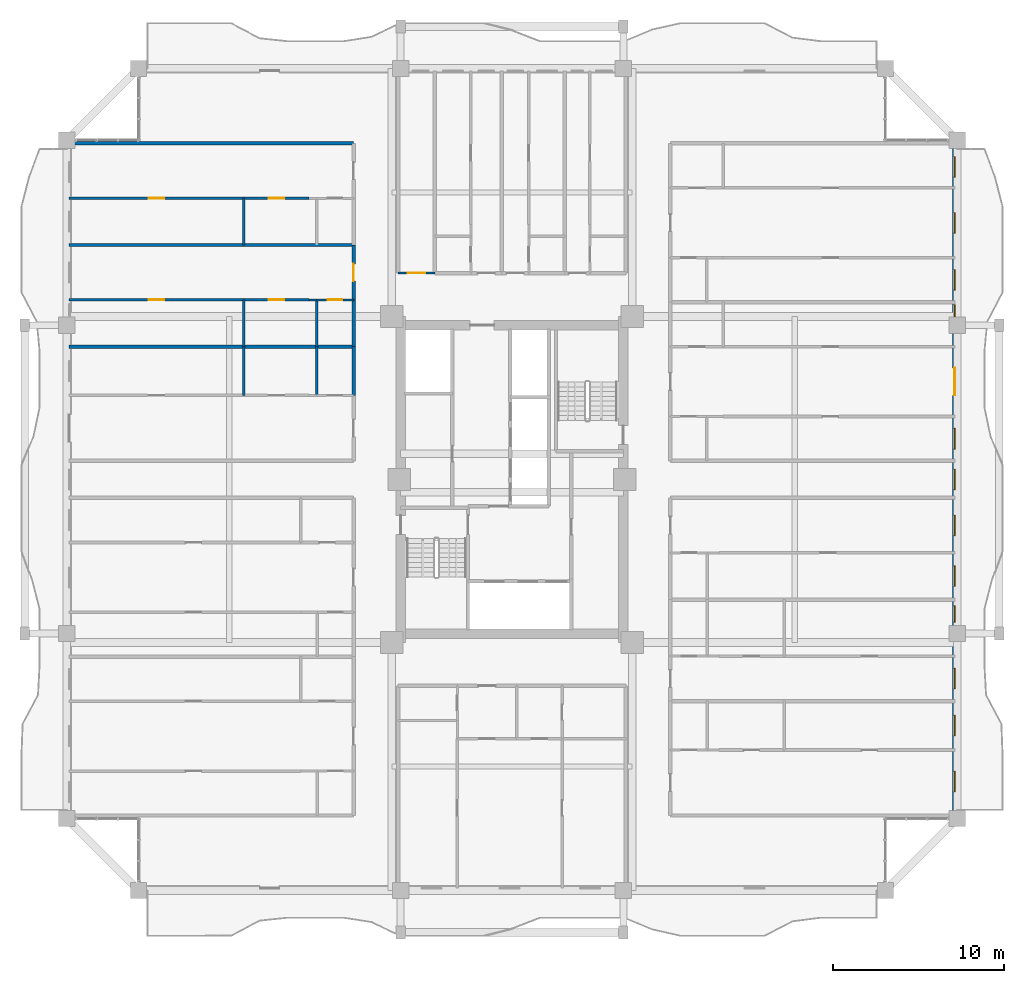
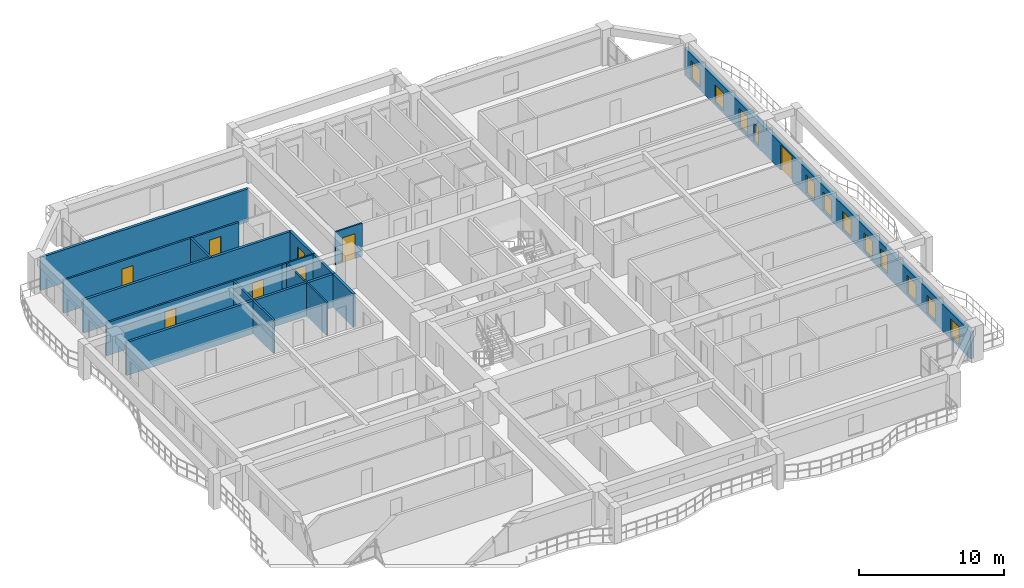
# One storey, part 18 of 26: 19 walls, 12 windows, 8 doors, 20 openings.
"""IFC4 building model written with IfcOpenShell, lengths in metres."""

from ifc_helpers import new_model, si_unit, direction, frame, frame_2d, origin, place, context, subcontext, project, spatial, rectangle, extrude, source, transform, mapped, material, layer, layer_set, type_object, element, fill, save


model = new_model("IFC4")

# Units and contexts
model_context = context("Model", 3, precision=1e-05, world=origin(), true_north=direction((0.0, 1.0)))
body_context = subcontext(model_context, "Body", "Model", "MODEL_VIEW")
ifc_project = project(units=[si_unit("LENGTHUNIT", "METRE"), si_unit("AREAUNIT", "SQUARE_METRE"), si_unit("VOLUMEUNIT", "CUBIC_METRE"), si_unit("PLANEANGLEUNIT", "RADIAN"), si_unit("MASSUNIT", "GRAM", prefix="KILO")], contexts=[model_context])

# Site, building, storey
site_placement = place(None, origin())
site = spatial("IfcSite", under=ifc_project, at=site_placement, CompositionType="ELEMENT")
building_placement = place(site_placement, origin())
building = spatial("IfcBuilding", under=site, at=building_placement, Name="Saelheon Loggia Tower", CompositionType="ELEMENT")
storey_placement = place(building_placement, frame((0.0, 0.0, 116.85009765625)))
storey = spatial("IfcBuildingStorey", under=building, at=storey_placement, Name="L37", CompositionType="ELEMENT", Elevation=116.85009765625)

# Wall, openings, windows, door
ifc_material_1 = material(Name="Architectural Precast Concrete C40/50", Category="concrete")
ifc_layer_1 = layer(ifc_material_1, 0.280029296875)
ifc_layer_set_1 = layer_set([ifc_layer_1], Name="Architectural Precast Concrete C40/50")
wall_type_1 = type_object("IfcWallType", Name="Wall_Ext_Loggia_280", PredefinedType="SOLIDWALL", material=ifc_layer_set_1)
wall_1_placement = place(storey_placement, frame((63.860107421875, 7.199951171875, 0.0), z_axis=(0.0, 0.0, 1.0), x_axis=(0.0, 1.0, 0.0)))
wall_1 = element("IfcWall", 1, at=wall_1_placement, inside=storey, type_object=wall_type_1, Name="L37 East Loggia Inner Wall", PredefinedType="SOLIDWALL", context=body_context, shape_type="SweptSolid", body=[
    extrude(rectangle(XDim=39.60009765625, YDim=0.280029296875, at=frame_2d((19.800048828125, 0.0))), origin(), (0.0, 0.0, 1.0), 2.27978515625),
])
opening_1_placement = place(wall_1_placement, frame((1.559814453125, 0.0, 0.25)))
opening_1 = element("IfcOpeningElement", 2, at=opening_1_placement, cuts=wall_1, Name="Opening WN-03", PredefinedType="OPENING", context=body_context, shape_type="SweptSolid", body=[
    extrude(rectangle(XDim=1.199951171875, YDim=1.5, at=frame_2d((0.60009765625, 0.75))), frame((0.0, 0.152099609375, 0.0), z_axis=(0.0, -1.0, 0.0), x_axis=(1.0, 0.0, 0.0)), (0.0, 0.0, 1.0), 0.303955078125),
])
opening_2_placement = place(wall_1_placement, frame((4.829345703125, 0.0, 0.25)))
opening_2 = element("IfcOpeningElement", 3, at=opening_2_placement, cuts=wall_1, Name="Opening WN-03", PredefinedType="OPENING", context=body_context, shape_type="SweptSolid", body=[
    extrude(rectangle(XDim=1.199951171875, YDim=1.5, at=frame_2d((0.60009765625, 0.75))), frame((0.0, 0.152099609375, 0.0), z_axis=(0.0, -1.0, 0.0), x_axis=(1.0, 0.0, 0.0)), (0.0, 0.0, 1.0), 0.303955078125),
])
opening_3_placement = place(wall_1_placement, frame((7.567138671875, 0.0, 0.25)))
opening_3 = element("IfcOpeningElement", 4, at=opening_3_placement, cuts=wall_1, Name="Opening WN-03", PredefinedType="OPENING", context=body_context, shape_type="SweptSolid", body=[
    extrude(rectangle(XDim=1.199951171875, YDim=1.5, at=frame_2d((0.60009765625, 0.75))), frame((0.0, 0.152099609375, 0.0), z_axis=(0.0, -1.0, 0.0), x_axis=(1.0, 0.0, 0.0)), (0.0, 0.0, 1.0), 0.303955078125),
])
opening_4_placement = place(wall_1_placement, frame((11.47607421875, 0.0, 0.25)))
opening_4 = element("IfcOpeningElement", 5, at=opening_4_placement, cuts=wall_1, Name="Opening WN-04", PredefinedType="OPENING", context=body_context, shape_type="SweptSolid", body=[
    extrude(rectangle(XDim=0.949951171875, YDim=1.5, at=frame_2d((0.47509765625, 0.75))), frame((0.0, 0.152099609375, 0.0), z_axis=(0.0, -1.0, 0.0), x_axis=(1.0, 0.0, 0.0)), (0.0, 0.0, 1.0), 0.303955078125),
])
opening_5_placement = place(wall_1_placement, frame((13.5517578125, 0.0, 0.25)))
opening_5 = element("IfcOpeningElement", 6, at=opening_5_placement, cuts=wall_1, Name="Opening WN-03", PredefinedType="OPENING", context=body_context, shape_type="SweptSolid", body=[
    extrude(rectangle(XDim=1.199951171875, YDim=1.5, at=frame_2d((0.60009765625, 0.75))), frame((0.0, 0.152099609375, 0.0), z_axis=(0.0, -1.0, 0.0), x_axis=(1.0, 0.0, 0.0)), (0.0, 0.0, 1.0), 0.303955078125),
])
opening_6_placement = place(wall_1_placement, frame((16.51806640625, 0.0, 0.25)))
opening_6 = element("IfcOpeningElement", 7, at=opening_6_placement, cuts=wall_1, Name="Opening WN-03", PredefinedType="OPENING", context=body_context, shape_type="SweptSolid", body=[
    extrude(rectangle(XDim=1.199951171875, YDim=1.5, at=frame_2d((0.60009765625, 0.75))), frame((0.0, 0.152099609375, 0.0), z_axis=(0.0, -1.0, 0.0), x_axis=(1.0, 0.0, 0.0)), (0.0, 0.0, 1.0), 0.303955078125),
])
opening_7_placement = place(wall_1_placement, frame((19.199951171875, 0.0, 0.25)))
opening_7 = element("IfcOpeningElement", 8, at=opening_7_placement, cuts=wall_1, Name="Opening WN-03", PredefinedType="OPENING", context=body_context, shape_type="SweptSolid", body=[
    extrude(rectangle(XDim=1.199951171875, YDim=1.5, at=frame_2d((0.60009765625, 0.75))), frame((0.0, 0.152099609375, 0.0), z_axis=(0.0, -1.0, 0.0), x_axis=(1.0, 0.0, 0.0)), (0.0, 0.0, 1.0), 0.303955078125),
])
opening_8_placement = place(wall_1_placement, frame((21.577880859375, 0.0, 0.25)))
opening_8 = element("IfcOpeningElement", 9, at=opening_8_placement, cuts=wall_1, Name="Opening WN-03", PredefinedType="OPENING", context=body_context, shape_type="SweptSolid", body=[
    extrude(rectangle(XDim=1.199951171875, YDim=1.5, at=frame_2d((0.60009765625, 0.75))), frame((0.0, 0.152099609375, 0.0), z_axis=(0.0, -1.0, 0.0), x_axis=(1.0, 0.0, 0.0)), (0.0, 0.0, 1.0), 0.303955078125),
])
opening_9_placement = place(wall_1_placement, frame((26.31298828125, 0.0, 0.0), z_axis=(0.0, 0.0, 1.0), x_axis=(-1.0, 0.0, 0.0)))
opening_9 = element("IfcOpeningElement", 10, at=opening_9_placement, cuts=wall_1, Name="Opening DLG-1", PredefinedType="OPENING", context=body_context, shape_type="SweptSolid", body=[
    extrude(rectangle(XDim=1.60009765625, YDim=2.14990234375, at=frame_2d((0.800048828125, 1.074951171875))), frame((0.0, 0.152099609375, 0.0), z_axis=(0.0, -1.0, 0.0), x_axis=(1.0, 0.0, 0.0)), (0.0, 0.0, 1.0), 0.303955078125),
])
opening_10_placement = place(wall_1_placement, frame((29.304931640625, 0.0, 0.25)))
opening_10 = element("IfcOpeningElement", 11, at=opening_10_placement, cuts=wall_1, Name="Opening WN-06", PredefinedType="OPENING", context=body_context, shape_type="SweptSolid", body=[
    extrude(rectangle(XDim=0.699951171875, YDim=1.5, at=frame_2d((0.35009765625, 0.75))), frame((0.0, 0.152099609375, 0.0), z_axis=(0.0, -1.0, 0.0), x_axis=(1.0, 0.0, 0.0)), (0.0, 0.0, 1.0), 0.303955078125),
])
opening_11_placement = place(wall_1_placement, frame((30.847900390625, 0.0, 0.25)))
opening_11 = element("IfcOpeningElement", 12, at=opening_11_placement, cuts=wall_1, Name="Opening WN-03", PredefinedType="OPENING", context=body_context, shape_type="SweptSolid", body=[
    extrude(rectangle(XDim=1.199951171875, YDim=1.5, at=frame_2d((0.60009765625, 0.75))), frame((0.0, 0.152099609375, 0.0), z_axis=(0.0, -1.0, 0.0), x_axis=(1.0, 0.0, 0.0)), (0.0, 0.0, 1.0), 0.303955078125),
])
opening_12_placement = place(wall_1_placement, frame((34.182861328125, 0.0, 0.25)))
opening_12 = element("IfcOpeningElement", 13, at=opening_12_placement, cuts=wall_1, Name="Opening WN-03", PredefinedType="OPENING", context=body_context, shape_type="SweptSolid", body=[
    extrude(rectangle(XDim=1.199951171875, YDim=1.5, at=frame_2d((0.60009765625, 0.75))), frame((0.0, 0.152099609375, 0.0), z_axis=(0.0, -1.0, 0.0), x_axis=(1.0, 0.0, 0.0)), (0.0, 0.0, 1.0), 0.303955078125),
])
opening_13_placement = place(wall_1_placement, frame((37.452392578125, 0.0, 0.25)))
opening_13 = element("IfcOpeningElement", 14, at=opening_13_placement, cuts=wall_1, Name="Opening WN-03", PredefinedType="OPENING", context=body_context, shape_type="SweptSolid", body=[
    extrude(rectangle(XDim=1.199951171875, YDim=1.5, at=frame_2d((0.60009765625, 0.75))), frame((0.0, 0.152099609375, 0.0), z_axis=(0.0, -1.0, 0.0), x_axis=(1.0, 0.0, 0.0)), (0.0, 0.0, 1.0), 0.303955078125),
])
ifc_material_2 = material(Name="Thermal-Break Aluminium and Triple Low-E Glass", Category="aluminium")
window_type_1 = type_object("IfcWindowType", Name="Win_Slot_700x1500", PartitioningType="SINGLE_PANEL", PredefinedType="WINDOW", material=ifc_material_2)
shared_shape_1 = source(origin(), body_context, "Body", "SweptSolid", [
    extrude(rectangle(XDim=0.699951171875, YDim=1.5, at=frame_2d((0.35009765625, 0.75))), frame((0.0, 0.030029296875, 0.0), z_axis=(0.0, -1.0, 0.0), x_axis=(1.0, 0.0, 0.0)), (0.0, 0.0, 1.0), 0.06005859375),
])
window_1_placement = place(opening_10_placement, origin())
window_1 = element("IfcWindow", 15, at=window_1_placement, inside=storey, type_object=window_type_1, Name="L37 E Dwelling Window 10", OverallHeight=1.5, OverallWidth=0.699951171875, PartitioningType="SINGLE_PANEL", PredefinedType="WINDOW", context=body_context, shape_type="MappedRepresentation", body=[
    mapped(shared_shape_1, transform((0.0, 0.0, 0.0), scale=1.0)),
])
fill(opening_10, window_1)
window_type_2 = type_object("IfcWindowType", Name="Win_Bedroom_1200x1500", PartitioningType="SINGLE_PANEL", PredefinedType="WINDOW", material=ifc_material_2)
shared_shape_2 = source(origin(), body_context, "Body", "SweptSolid", [
    extrude(rectangle(XDim=1.199951171875, YDim=1.5, at=frame_2d((0.60009765625, 0.75))), frame((0.0, 0.030029296875, 0.0), z_axis=(0.0, -1.0, 0.0), x_axis=(1.0, 0.0, 0.0)), (0.0, 0.0, 1.0), 0.06005859375),
])
window_2_placement = place(opening_1_placement, origin())
window_2 = element("IfcWindow", 16, at=window_2_placement, inside=storey, type_object=window_type_2, Name="L37 E Dwelling Window 1", OverallHeight=1.5, OverallWidth=1.199951171875, PartitioningType="SINGLE_PANEL", PredefinedType="WINDOW", context=body_context, shape_type="MappedRepresentation", body=[
    mapped(shared_shape_2, transform((0.0, 0.0, 0.0), scale=1.0)),
])
fill(opening_1, window_2)
window_3_placement = place(opening_2_placement, origin())
window_3 = element("IfcWindow", 17, at=window_3_placement, inside=storey, type_object=window_type_2, Name="L37 E Dwelling Window 2", OverallHeight=1.5, OverallWidth=1.199951171875, PartitioningType="SINGLE_PANEL", PredefinedType="WINDOW", context=body_context, shape_type="MappedRepresentation", body=[
    mapped(shared_shape_2, transform((0.0, 0.0, 0.0), scale=1.0)),
])
fill(opening_2, window_3)
window_4_placement = place(opening_3_placement, origin())
window_4 = element("IfcWindow", 18, at=window_4_placement, inside=storey, type_object=window_type_2, Name="L37 E Dwelling Window 3", OverallHeight=1.5, OverallWidth=1.199951171875, PartitioningType="SINGLE_PANEL", PredefinedType="WINDOW", context=body_context, shape_type="MappedRepresentation", body=[
    mapped(shared_shape_2, transform((0.0, 0.0, 0.0), scale=1.0)),
])
fill(opening_3, window_4)
window_5_placement = place(opening_5_placement, origin())
window_5 = element("IfcWindow", 19, at=window_5_placement, inside=storey, type_object=window_type_2, Name="L37 E Dwelling Window 5", OverallHeight=1.5, OverallWidth=1.199951171875, PartitioningType="SINGLE_PANEL", PredefinedType="WINDOW", context=body_context, shape_type="MappedRepresentation", body=[
    mapped(shared_shape_2, transform((0.0, 0.0, 0.0), scale=1.0)),
])
fill(opening_5, window_5)
window_6_placement = place(opening_6_placement, origin())
window_6 = element("IfcWindow", 20, at=window_6_placement, inside=storey, type_object=window_type_2, Name="L37 E Dwelling Window 6", OverallHeight=1.5, OverallWidth=1.199951171875, PartitioningType="SINGLE_PANEL", PredefinedType="WINDOW", context=body_context, shape_type="MappedRepresentation", body=[
    mapped(shared_shape_2, transform((0.0, 0.0, 0.0), scale=1.0)),
])
fill(opening_6, window_6)
window_7_placement = place(opening_7_placement, origin())
window_7 = element("IfcWindow", 21, at=window_7_placement, inside=storey, type_object=window_type_2, Name="L37 E Dwelling Window 7", OverallHeight=1.5, OverallWidth=1.199951171875, PartitioningType="SINGLE_PANEL", PredefinedType="WINDOW", context=body_context, shape_type="MappedRepresentation", body=[
    mapped(shared_shape_2, transform((0.0, 0.0, 0.0), scale=1.0)),
])
fill(opening_7, window_7)
window_8_placement = place(opening_8_placement, origin())
window_8 = element("IfcWindow", 22, at=window_8_placement, inside=storey, type_object=window_type_2, Name="L37 E Dwelling Window 8", OverallHeight=1.5, OverallWidth=1.199951171875, PartitioningType="SINGLE_PANEL", PredefinedType="WINDOW", context=body_context, shape_type="MappedRepresentation", body=[
    mapped(shared_shape_2, transform((0.0, 0.0, 0.0), scale=1.0)),
])
fill(opening_8, window_8)
window_9_placement = place(opening_11_placement, origin())
window_9 = element("IfcWindow", 23, at=window_9_placement, inside=storey, type_object=window_type_2, Name="L37 E Dwelling Window 11", OverallHeight=1.5, OverallWidth=1.199951171875, PartitioningType="SINGLE_PANEL", PredefinedType="WINDOW", context=body_context, shape_type="MappedRepresentation", body=[
    mapped(shared_shape_2, transform((0.0, 0.0, 0.0), scale=1.0)),
])
fill(opening_11, window_9)
window_10_placement = place(opening_12_placement, origin())
window_10 = element("IfcWindow", 24, at=window_10_placement, inside=storey, type_object=window_type_2, Name="L37 E Dwelling Window 12", OverallHeight=1.5, OverallWidth=1.199951171875, PartitioningType="SINGLE_PANEL", PredefinedType="WINDOW", context=body_context, shape_type="MappedRepresentation", body=[
    mapped(shared_shape_2, transform((0.0, 0.0, 0.0), scale=1.0)),
])
fill(opening_12, window_10)
window_11_placement = place(opening_13_placement, origin())
window_11 = element("IfcWindow", 25, at=window_11_placement, inside=storey, type_object=window_type_2, Name="L37 E Dwelling Window 13", OverallHeight=1.5, OverallWidth=1.199951171875, PartitioningType="SINGLE_PANEL", PredefinedType="WINDOW", context=body_context, shape_type="MappedRepresentation", body=[
    mapped(shared_shape_2, transform((0.0, 0.0, 0.0), scale=1.0)),
])
fill(opening_13, window_11)
window_type_3 = type_object("IfcWindowType", Name="Win_Narrow_950x1500", PartitioningType="SINGLE_PANEL", PredefinedType="WINDOW", material=ifc_material_2)
shared_shape_3 = source(origin(), body_context, "Body", "SweptSolid", [
    extrude(rectangle(XDim=0.949951171875, YDim=1.5, at=frame_2d((0.47509765625, 0.75))), frame((0.0, 0.030029296875, 0.0), z_axis=(0.0, -1.0, 0.0), x_axis=(1.0, 0.0, 0.0)), (0.0, 0.0, 1.0), 0.06005859375),
])
window_12_placement = place(opening_4_placement, origin())
window_12 = element("IfcWindow", 26, at=window_12_placement, inside=storey, type_object=window_type_3, Name="L37 E Dwelling Window 4", OverallHeight=1.5, OverallWidth=0.949951171875, PartitioningType="SINGLE_PANEL", PredefinedType="WINDOW", context=body_context, shape_type="MappedRepresentation", body=[
    mapped(shared_shape_3, transform((0.0, 0.0, 0.0), scale=1.0)),
])
fill(opening_4, window_12)
ifc_material_3 = material(Name="Thermal-Break Aluminium Sliding Glazed Door", Category="aluminium")
door_type_1 = type_object("IfcDoorType", Name="Door_LoggiaSlide_1600", OperationType="SLIDING_TO_LEFT", PredefinedType="DOOR", material=ifc_material_3)
shared_shape_4 = source(origin(), body_context, "Body", "SweptSolid", [
    extrude(rectangle(XDim=1.60009765625, YDim=2.14990234375, at=frame_2d((0.800048828125, 1.074951171875))), frame((0.0, 0.02490234375, 0.0), z_axis=(0.0, -1.0, 0.0), x_axis=(1.0, 0.0, 0.0)), (0.0, 0.0, 1.0), 0.050048828125),
])
door_1_placement = place(opening_9_placement, origin())
door_1 = element("IfcDoor", 27, at=door_1_placement, inside=storey, type_object=door_type_1, Name="L37 E Loggia Access Door", OperationType="SLIDING_TO_LEFT", OverallHeight=2.14990234375, OverallWidth=1.60009765625, PredefinedType="DOOR", context=body_context, shape_type="MappedRepresentation", body=[
    mapped(shared_shape_4, transform((0.0, 0.0, 0.0), scale=1.0)),
])
fill(opening_9, door_1)

# Walls
ifc_material_4 = material(Name="Lightweight Autoclaved Aerated Concrete Block and Acoustic Gypsum", Category="concrete")
ifc_layer_2 = layer(ifc_material_4, 0.14990234375)
ifc_layer_set_2 = layer_set([ifc_layer_2], Name="Lightweight Autoclaved Aerated Concrete Block and Acoustic Gypsum")
wall_type_2 = type_object("IfcWallType", Name="Wall_Part_150", PredefinedType="PARTITIONING", material=ifc_layer_set_2)
wall_2_placement = place(storey_placement, frame((22.35009765625, 31.904296875, 0.0), z_axis=(0.0, 0.0, 1.0), x_axis=(0.0, 1.0, 0.0)))
element("IfcWall", 28, at=wall_2_placement, inside=storey, type_object=wall_type_2, Name="L37 WN Partition V08", PredefinedType="PARTITIONING", context=body_context, shape_type="SweptSolid", body=[
    extrude(rectangle(XDim=2.85009765625, YDim=0.14990234375, at=frame_2d((1.425048828125, 0.0))), origin(), (0.0, 0.0, 1.0), 2.789794921875),
])
wall_3_placement = place(storey_placement, frame((22.35009765625, 34.75439453125, 0.0), z_axis=(0.0, 0.0, 1.0), x_axis=(0.0, 1.0, 0.0)))
element("IfcWall", 29, at=wall_3_placement, inside=storey, type_object=wall_type_2, Name="L37 WN Partition V17", PredefinedType="PARTITIONING", context=body_context, shape_type="SweptSolid", body=[
    extrude(rectangle(XDim=2.72900390625, YDim=0.14990234375, at=frame_2d((1.364501953125, 0.0))), origin(), (0.0, 0.0, 1.0), 2.789794921875),
])

# Wall, opening, door
wall_4_placement = place(storey_placement, frame((26.14990234375, 37.4833984375, 0.0), z_axis=(0.0, 0.0, 1.0), x_axis=(-1.0, 0.0, 0.0)))
wall_4 = element("IfcWall", 30, at=wall_4_placement, inside=storey, type_object=wall_type_2, Name="L37 WN Partition U18", PredefinedType="PARTITIONING", context=body_context, shape_type="SweptSolid", body=[
    extrude(rectangle(XDim=3.7998046875, YDim=0.14990234375, at=frame_2d((1.89990234375, 0.0))), origin(), (0.0, 0.0, 1.0), 2.789794921875),
])
opening_14_placement = place(wall_4_placement, frame((1.449951171875, 0.0, 0.0)))
opening_14 = element("IfcOpeningElement", 31, at=opening_14_placement, cuts=wall_4, Name="Opening D-IN2", PredefinedType="OPENING", context=body_context, shape_type="SweptSolid", body=[
    extrude(rectangle(XDim=0.89990234375, YDim=2.10009765625, at=frame_2d((0.449951171875, 1.050048828125))), frame((0.0, 0.0869140625, 0.0), z_axis=(0.0, -1.0, 0.0), x_axis=(1.0, 0.0, 0.0)), (0.0, 0.0, 1.0), 0.173828125),
])
ifc_material_5 = material(Name="Engineered Oak Flush Door", Category="timber")
door_type_2 = type_object("IfcDoorType", Name="Door_Int_900", OperationType="NOTDEFINED", PredefinedType="DOOR", material=ifc_material_5)
shared_shape_5 = source(origin(), body_context, "Body", "SweptSolid", [
    extrude(rectangle(XDim=0.89990234375, YDim=2.10009765625, at=frame_2d((0.449951171875, 1.050048828125))), frame((0.0, 0.02490234375, 0.0), z_axis=(0.0, -1.0, 0.0), x_axis=(1.0, 0.0, 0.0)), (0.0, 0.0, 1.0), 0.050048828125),
])
door_2_placement = place(opening_14_placement, origin())
door_2 = element("IfcDoor", 32, at=door_2_placement, inside=storey, type_object=door_type_2, Name="Unit U08 Kitchen Door", OperationType="SINGLE_SWING_LEFT", OverallHeight=2.10009765625, OverallWidth=0.89990234375, PredefinedType="DOOR", context=body_context, shape_type="MappedRepresentation", body=[
    mapped(shared_shape_5, transform((0.0, 0.0, 0.0), scale=1.0)),
])
fill(opening_14, door_2)

wall_5_placement = place(storey_placement, frame((22.35009765625, 37.4833984375, 0.0), z_axis=(0.0, 0.0, 1.0), x_axis=(-1.0, 0.0, 0.0)))
wall_5 = element("IfcWall", 33, at=wall_5_placement, inside=storey, type_object=wall_type_2, Name="L37 WN Partition U19", PredefinedType="PARTITIONING", context=body_context, shape_type="SweptSolid", body=[
    extrude(rectangle(XDim=10.2001953125, YDim=0.14990234375, at=frame_2d((5.10009765625, 0.0))), origin(), (0.0, 0.0, 1.0), 2.789794921875),
])
opening_15_placement = place(wall_5_placement, frame((4.64990234375, 0.0, 0.0)))
opening_15 = element("IfcOpeningElement", 34, at=opening_15_placement, cuts=wall_5, Name="Opening D-IN2", PredefinedType="OPENING", context=body_context, shape_type="SweptSolid", body=[
    extrude(rectangle(XDim=0.89990234375, YDim=2.10009765625, at=frame_2d((0.449951171875, 1.050048828125))), frame((0.0, 0.0869140625, 0.0), z_axis=(0.0, -1.0, 0.0), x_axis=(1.0, 0.0, 0.0)), (0.0, 0.0, 1.0), 0.173828125),
])
door_3_placement = place(opening_15_placement, origin())
door_3 = element("IfcDoor", 35, at=door_3_placement, inside=storey, type_object=door_type_2, Name="Unit U08 Bedroom 1 Door", OperationType="SINGLE_SWING_RIGHT", OverallHeight=2.10009765625, OverallWidth=0.89990234375, PredefinedType="DOOR", context=body_context, shape_type="MappedRepresentation", body=[
    mapped(shared_shape_5, transform((0.0, 0.0, 0.0), scale=1.0)),
])
fill(opening_15, door_3)

# Wall
wall_6_placement = place(storey_placement, frame((22.35009765625, 40.687255859375, 0.0), z_axis=(0.0, 0.0, 1.0), x_axis=(0.0, 1.0, 0.0)))
element("IfcWall", 36, at=wall_6_placement, inside=storey, type_object=wall_type_2, Name="L37 WN Partition V26", PredefinedType="PARTITIONING", context=body_context, shape_type="SweptSolid", body=[
    extrude(rectangle(XDim=2.72900390625, YDim=0.14990234375, at=frame_2d((1.364501953125, 0.0))), origin(), (0.0, 0.0, 1.0), 2.789794921875),
])

# Wall, opening, door
wall_7_placement = place(storey_placement, frame((26.14990234375, 43.416259765625, 0.0), z_axis=(0.0, 0.0, 1.0), x_axis=(-1.0, 0.0, 0.0)))
wall_7 = element("IfcWall", 37, at=wall_7_placement, inside=storey, type_object=wall_type_2, Name="L37 WN Partition U27", PredefinedType="PARTITIONING", context=body_context, shape_type="SweptSolid", body=[
    extrude(rectangle(XDim=3.7998046875, YDim=0.14990234375, at=frame_2d((1.89990234375, 0.0))), origin(), (0.0, 0.0, 1.0), 2.789794921875),
])
opening_16_placement = place(wall_7_placement, frame((1.449951171875, 0.0, 0.0)))
opening_16 = element("IfcOpeningElement", 38, at=opening_16_placement, cuts=wall_7, Name="Opening D-IN2", PredefinedType="OPENING", context=body_context, shape_type="SweptSolid", body=[
    extrude(rectangle(XDim=0.89990234375, YDim=2.10009765625, at=frame_2d((0.449951171875, 1.050048828125))), frame((0.0, 0.0869140625, 0.0), z_axis=(0.0, -1.0, 0.0), x_axis=(1.0, 0.0, 0.0)), (0.0, 0.0, 1.0), 0.173828125),
])
door_4_placement = place(opening_16_placement, origin())
door_4 = element("IfcDoor", 39, at=door_4_placement, inside=storey, type_object=door_type_2, Name="Unit U09 Kitchen Door", OperationType="SINGLE_SWING_LEFT", OverallHeight=2.10009765625, OverallWidth=0.89990234375, PredefinedType="DOOR", context=body_context, shape_type="MappedRepresentation", body=[
    mapped(shared_shape_5, transform((0.0, 0.0, 0.0), scale=1.0)),
])
fill(opening_16, door_4)

wall_8_placement = place(storey_placement, frame((22.35009765625, 43.416259765625, 0.0), z_axis=(0.0, 0.0, 1.0), x_axis=(-1.0, 0.0, 0.0)))
wall_8 = element("IfcWall", 40, at=wall_8_placement, inside=storey, type_object=wall_type_2, Name="L37 WN Partition U28", PredefinedType="PARTITIONING", context=body_context, shape_type="SweptSolid", body=[
    extrude(rectangle(XDim=10.2001953125, YDim=0.14990234375, at=frame_2d((5.10009765625, 0.0))), origin(), (0.0, 0.0, 1.0), 2.789794921875),
])
opening_17_placement = place(wall_8_placement, frame((4.64990234375, 0.0, 0.0)))
opening_17 = element("IfcOpeningElement", 41, at=opening_17_placement, cuts=wall_8, Name="Opening D-IN2", PredefinedType="OPENING", context=body_context, shape_type="SweptSolid", body=[
    extrude(rectangle(XDim=0.89990234375, YDim=2.10009765625, at=frame_2d((0.449951171875, 1.050048828125))), frame((0.0, 0.0869140625, 0.0), z_axis=(0.0, -1.0, 0.0), x_axis=(1.0, 0.0, 0.0)), (0.0, 0.0, 1.0), 0.173828125),
])
door_5_placement = place(opening_17_placement, origin())
door_5 = element("IfcDoor", 42, at=door_5_placement, inside=storey, type_object=door_type_2, Name="Unit U09 Bedroom 1 Door", OperationType="SINGLE_SWING_RIGHT", OverallHeight=2.10009765625, OverallWidth=0.89990234375, PredefinedType="DOOR", context=body_context, shape_type="MappedRepresentation", body=[
    mapped(shared_shape_5, transform((0.0, 0.0, 0.0), scale=1.0)),
])
fill(opening_17, door_5)

# Walls
ifc_material_6 = material(Name="Double Acoustic Stud and Fireboard Partition", Category="gypsum")
ifc_layer_3 = layer(ifc_material_6, 0.199951171875)
ifc_layer_set_3 = layer_set([ifc_layer_3], Name="Double Acoustic Stud and Fireboard Partition")
wall_type_3 = type_object("IfcWallType", Name="Wall_Party_200", PredefinedType="PARTITIONING", material=ifc_layer_set_3)
wall_9_placement = place(storey_placement, frame((28.75, 46.6201171875, 0.0), z_axis=(0.0, 0.0, 1.0), x_axis=(-1.0, 0.0, 0.0)))
element("IfcWall", 43, at=wall_9_placement, inside=storey, type_object=wall_type_3, Name="L37 WN Partition U02", PredefinedType="PARTITIONING", context=body_context, shape_type="SweptSolid", body=[
    extrude(rectangle(XDim=16.60009765625, YDim=0.199951171875, at=frame_2d((8.300048828125, 0.0))), origin(), (0.0, 0.0, 1.0), 2.789794921875),
])
wall_10_placement = place(storey_placement, frame((28.75, 31.904296875, 0.0), z_axis=(0.0, 0.0, 1.0), x_axis=(0.0, 1.0, 0.0)))
element("IfcWall", 44, at=wall_10_placement, inside=storey, type_object=wall_type_3, Name="L37 WN Partition V04", PredefinedType="PARTITIONING", context=body_context, shape_type="SweptSolid", body=[
    extrude(rectangle(XDim=2.85009765625, YDim=0.199951171875, at=frame_2d((1.425048828125, 0.0))), origin(), (0.0, 0.0, 1.0), 2.789794921875),
])
wall_11_placement = place(storey_placement, frame((28.75, 34.75439453125, 0.0), z_axis=(0.0, 0.0, 1.0), x_axis=(-1.0, 0.0, 0.0)))
element("IfcWall", 45, at=wall_11_placement, inside=storey, type_object=wall_type_3, Name="L37 WN Partition U11", PredefinedType="PARTITIONING", context=body_context, shape_type="SweptSolid", body=[
    extrude(rectangle(XDim=16.60009765625, YDim=0.199951171875, at=frame_2d((8.300048828125, 0.0))), origin(), (0.0, 0.0, 1.0), 2.789794921875),
])
wall_12_placement = place(storey_placement, frame((28.75, 34.75439453125, 0.0), z_axis=(0.0, 0.0, 1.0), x_axis=(0.0, 1.0, 0.0)))
element("IfcWall", 46, at=wall_12_placement, inside=storey, type_object=wall_type_3, Name="L37 WN Partition V12", PredefinedType="PARTITIONING", context=body_context, shape_type="SweptSolid", body=[
    extrude(rectangle(XDim=2.72900390625, YDim=0.199951171875, at=frame_2d((1.364501953125, 0.0))), origin(), (0.0, 0.0, 1.0), 2.789794921875),
])

# Wall, opening, door
wall_13_placement = place(storey_placement, frame((28.75, 37.4833984375, 0.0), z_axis=(0.0, 0.0, 1.0), x_axis=(0.0, 1.0, 0.0)))
wall_13 = element("IfcWall", 47, at=wall_13_placement, inside=storey, type_object=wall_type_3, Name="L37 WN Partition V13", PredefinedType="PARTITIONING", context=body_context, shape_type="SweptSolid", body=[
    extrude(rectangle(XDim=3.203857421875, YDim=0.199951171875, at=frame_2d((1.60205078125, 0.0))), origin(), (0.0, 0.0, 1.0), 2.789794921875),
])
opening_18_placement = place(wall_13_placement, frame((1.101806640625, 0.0, 0.0)))
opening_18 = element("IfcOpeningElement", 48, at=opening_18_placement, cuts=wall_13, Name="Opening D-FD1", PredefinedType="OPENING", context=body_context, shape_type="SweptSolid", body=[
    extrude(rectangle(XDim=1.0, YDim=2.14990234375, at=frame_2d((0.5, 1.074951171875))), frame((0.0, 0.112060546875, 0.0), z_axis=(0.0, -1.0, 0.0), x_axis=(1.0, 0.0, 0.0)), (0.0, 0.0, 1.0), 0.223876953125),
])
ifc_material_7 = material(Name="Fire-Rated Engineered Timber Entrance Door", Category="wood")
door_type_3 = type_object("IfcDoorType", Name="Door_Flat_FD30S", OperationType="NOTDEFINED", PredefinedType="DOOR", material=ifc_material_7)
shared_shape_6 = source(origin(), body_context, "Body", "SweptSolid", [
    extrude(rectangle(XDim=1.0, YDim=2.14990234375, at=frame_2d((0.5, 1.074951171875))), frame((0.0, 0.02490234375, 0.0), z_axis=(0.0, -1.0, 0.0), x_axis=(1.0, 0.0, 0.0)), (0.0, 0.0, 1.0), 0.050048828125),
])
door_6_placement = place(opening_18_placement, origin())
door_6 = element("IfcDoor", 49, at=door_6_placement, inside=storey, type_object=door_type_3, Name="Unit U08 Entrance Door", OperationType="SINGLE_SWING_LEFT", OverallHeight=2.14990234375, OverallWidth=1.0, PredefinedType="DOOR", context=body_context, shape_type="MappedRepresentation", body=[
    mapped(shared_shape_6, transform((0.0, 0.0, 0.0), scale=1.0)),
])
fill(opening_18, door_6)

# Wall
wall_14_placement = place(storey_placement, frame((28.75, 40.687255859375, 0.0), z_axis=(0.0, 0.0, 1.0), x_axis=(-1.0, 0.0, 0.0)))
element("IfcWall", 50, at=wall_14_placement, inside=storey, type_object=wall_type_3, Name="L37 WN Partition U20", PredefinedType="PARTITIONING", context=body_context, shape_type="SweptSolid", body=[
    extrude(rectangle(XDim=16.60009765625, YDim=0.199951171875, at=frame_2d((8.300048828125, 0.0))), origin(), (0.0, 0.0, 1.0), 2.789794921875),
])

# Wall, opening, door
ifc_material_8 = material(Name="Moisture-Resistant Cement Board Partition", Category="gypsum")
ifc_layer_4 = layer(ifc_material_8, 0.1201171875)
ifc_layer_set_4 = layer_set([ifc_layer_4], Name="Moisture-Resistant Cement Board Partition")
wall_type_4 = type_object("IfcWallType", Name="Wall_WetPart_120", PredefinedType="PARTITIONING", material=ifc_layer_set_4)
wall_15_placement = place(storey_placement, frame((31.35009765625, 39.050048828125, 0.0), z_axis=(0.0, 0.0, 1.0), x_axis=(1.0, 0.0, 0.0)))
wall_15 = element("IfcWall", 51, at=wall_15_placement, inside=storey, type_object=wall_type_4, Name="L37 N Partition V04", PredefinedType="PARTITIONING", context=body_context, shape_type="SweptSolid", body=[
    extrude(rectangle(XDim=2.14990234375, YDim=0.1201171875, at=frame_2d((1.074951171875, 0.0))), origin(), (0.0, 0.0, 1.0), 2.789794921875),
])
opening_19_placement = place(wall_15_placement, frame((0.574951171875, 0.0, 0.0)))
opening_19 = element("IfcOpeningElement", 52, at=opening_19_placement, cuts=wall_15, Name="Opening D-AC1", PredefinedType="OPENING", context=body_context, shape_type="SweptSolid", body=[
    extrude(rectangle(XDim=1.0, YDim=2.10009765625, at=frame_2d((0.5, 1.050048828125))), frame((0.0, 0.072021484375, 0.0), z_axis=(0.0, -1.0, 0.0), x_axis=(1.0, 0.0, 0.0)), (0.0, 0.0, 1.0), 0.14404296875),
])
ifc_material_9 = material(Name="Accessible Laminate Flush Door", Category="timber")
door_type_4 = type_object("IfcDoorType", Name="Door_Acc_1000", OperationType="NOTDEFINED", PredefinedType="DOOR", material=ifc_material_9)
shared_shape_7 = source(origin(), body_context, "Body", "SweptSolid", [
    extrude(rectangle(XDim=1.0, YDim=2.10009765625, at=frame_2d((0.5, 1.050048828125))), frame((0.0, 0.02490234375, 0.0), z_axis=(0.0, -1.0, 0.0), x_axis=(1.0, 0.0, 0.0)), (0.0, 0.0, 1.0), 0.050048828125),
])
door_7_placement = place(opening_19_placement, origin())
door_7 = element("IfcDoor", 53, at=door_7_placement, inside=storey, type_object=door_type_4, Name="L37 Floor Accessible WC Door", OperationType="SINGLE_SWING_LEFT", OverallHeight=2.10009765625, OverallWidth=1.0, PredefinedType="DOOR", context=body_context, shape_type="MappedRepresentation", body=[
    mapped(shared_shape_7, transform((0.0, 0.0, 0.0), scale=1.0)),
])
fill(opening_19, door_7)

# Wall
wall_16_placement = place(storey_placement, frame((26.60009765625, 31.904296875, 0.0), z_axis=(0.0, 0.0, 1.0), x_axis=(0.0, 1.0, 0.0)))
element("IfcWall", 54, at=wall_16_placement, inside=storey, type_object=wall_type_4, Name="L37 WN Partition V07", PredefinedType="PARTITIONING", context=body_context, shape_type="SweptSolid", body=[
    extrude(rectangle(XDim=2.85009765625, YDim=0.1201171875, at=frame_2d((1.425048828125, 0.0))), origin(), (0.0, 0.0, 1.0), 2.789794921875),
])

# Wall, opening, door
wall_17_placement = place(storey_placement, frame((28.75, 37.4833984375, 0.0), z_axis=(0.0, 0.0, 1.0), x_axis=(-1.0, 0.0, 0.0)))
wall_17 = element("IfcWall", 55, at=wall_17_placement, inside=storey, type_object=wall_type_4, Name="L37 WN Partition U14", PredefinedType="PARTITIONING", context=body_context, shape_type="SweptSolid", body=[
    extrude(rectangle(XDim=2.14990234375, YDim=0.1201171875, at=frame_2d((1.074951171875, 0.0))), origin(), (0.0, 0.0, 1.0), 2.789794921875),
])
opening_20_placement = place(wall_17_placement, frame((0.64990234375, 0.0, 0.0)))
opening_20 = element("IfcOpeningElement", 56, at=opening_20_placement, cuts=wall_17, Name="Opening D-BT1", PredefinedType="OPENING", context=body_context, shape_type="SweptSolid", body=[
    extrude(rectangle(XDim=0.85009765625, YDim=2.050048828125, at=frame_2d((0.425048828125, 1.02490234375))), frame((0.0, 0.072021484375, 0.0), z_axis=(0.0, -1.0, 0.0), x_axis=(1.0, 0.0, 0.0)), (0.0, 0.0, 1.0), 0.14404296875),
])
ifc_material_10 = material(Name="Moisture-Resistant Laminate Timber Door", Category="wood")
door_type_5 = type_object("IfcDoorType", Name="Door_Bath_850", OperationType="NOTDEFINED", PredefinedType="DOOR", material=ifc_material_10)
shared_shape_8 = source(origin(), body_context, "Body", "SweptSolid", [
    extrude(rectangle(XDim=0.85009765625, YDim=2.050048828125, at=frame_2d((0.425048828125, 1.02490234375))), frame((0.0, 0.02490234375, 0.0), z_axis=(0.0, -1.0, 0.0), x_axis=(1.0, 0.0, 0.0)), (0.0, 0.0, 1.0), 0.050048828125),
])
door_8_placement = place(opening_20_placement, origin())
door_8 = element("IfcDoor", 57, at=door_8_placement, inside=storey, type_object=door_type_5, Name="Unit U08 Bathroom Door", OperationType="SINGLE_SWING_RIGHT", OverallHeight=2.050048828125, OverallWidth=0.85009765625, PredefinedType="DOOR", context=body_context, shape_type="MappedRepresentation", body=[
    mapped(shared_shape_8, transform((0.0, 0.0, 0.0), scale=1.0)),
])
fill(opening_20, door_8)

# Walls
wall_18_placement = place(storey_placement, frame((26.60009765625, 37.4833984375, 0.0), z_axis=(0.0, 0.0, 1.0), x_axis=(-1.0, 0.0, 0.0)))
element("IfcWall", 58, at=wall_18_placement, inside=storey, type_object=wall_type_4, Name="L37 WN Partition U15", PredefinedType="PARTITIONING", context=body_context, shape_type="SweptSolid", body=[
    extrude(rectangle(XDim=0.4501953125, YDim=0.1201171875, at=frame_2d((0.22509765625, 0.0))), origin(), (0.0, 0.0, 1.0), 2.789794921875),
])
wall_19_placement = place(storey_placement, frame((26.60009765625, 34.75439453125, 0.0), z_axis=(0.0, 0.0, 1.0), x_axis=(0.0, 1.0, 0.0)))
element("IfcWall", 59, at=wall_19_placement, inside=storey, type_object=wall_type_4, Name="L37 WN Partition V16", PredefinedType="PARTITIONING", context=body_context, shape_type="SweptSolid", body=[
    extrude(rectangle(XDim=2.72900390625, YDim=0.1201171875, at=frame_2d((1.364501953125, 0.0))), origin(), (0.0, 0.0, 1.0), 2.789794921875),
])

save(model, "model.ifc")
